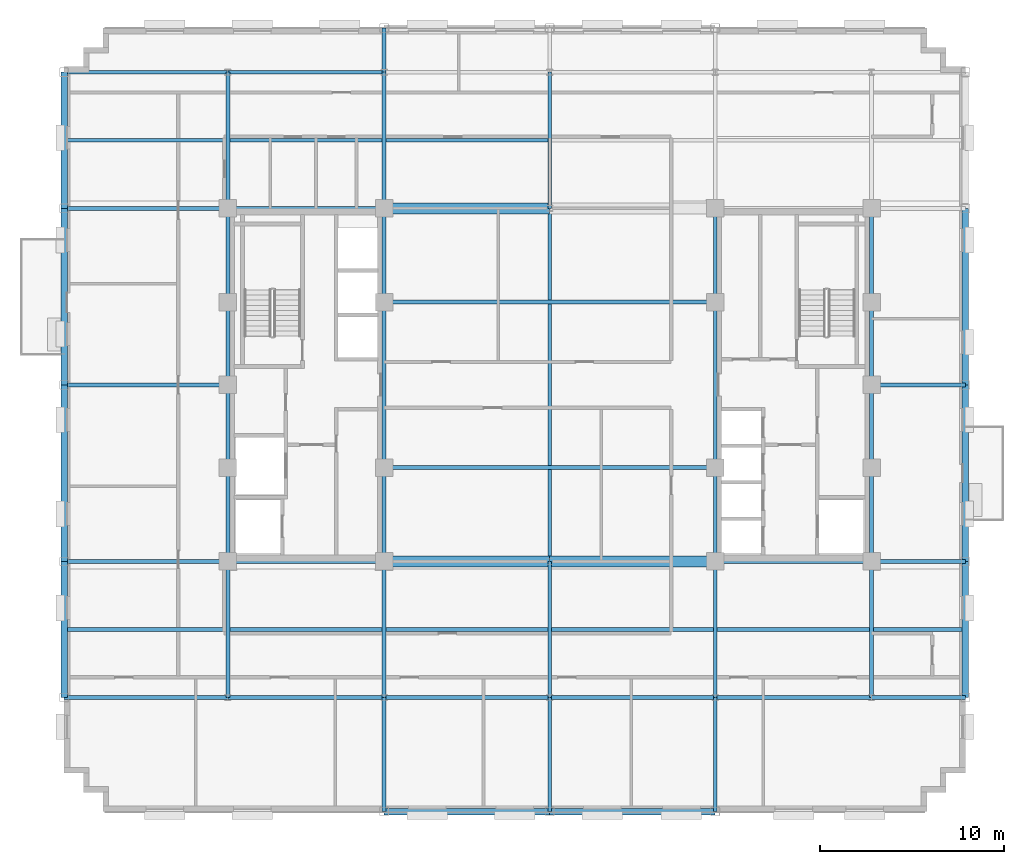
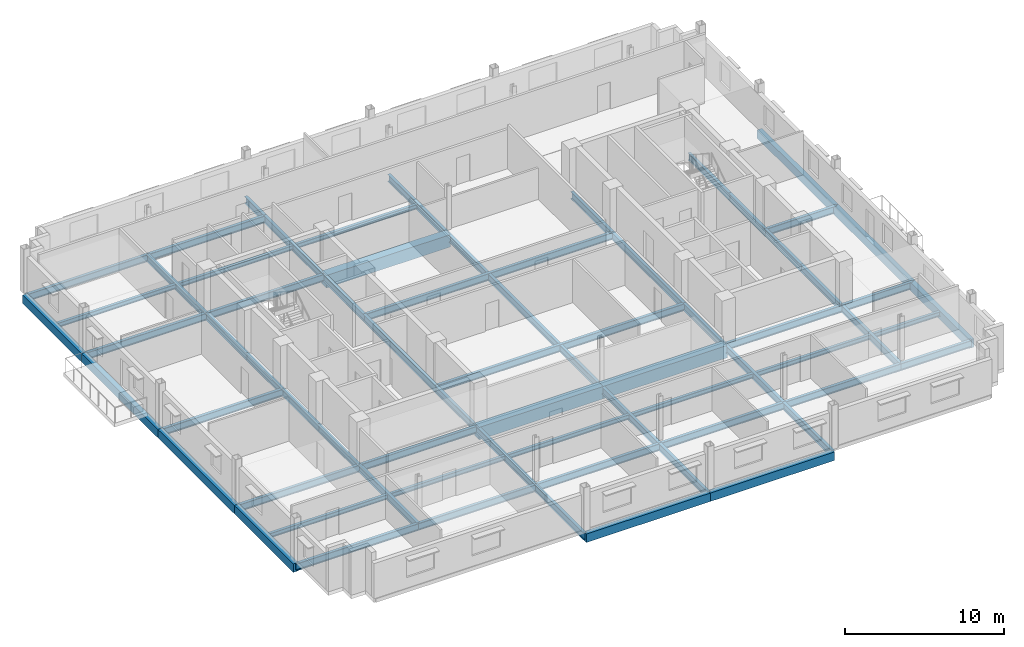
# One storey, part 5 of 15: 66 beams.
"""IFC4 building model written with IfcOpenShell, lengths in metres."""

from ifc_helpers import new_model, si_unit, direction, frame, origin, origin_2d, place, context, subcontext, project, spatial, rectangle, i_section, extrude, material, material_profile, profile_set, type_object, element, save


model = new_model("IFC4")

# Units and contexts
model_context = context("Model", 3, precision=1e-05, world=origin(), true_north=direction((0.0, 1.0)))
body_context = subcontext(model_context, "Body", "Model", "MODEL_VIEW")
ifc_project = project(units=[si_unit("LENGTHUNIT", "METRE"), si_unit("AREAUNIT", "SQUARE_METRE"), si_unit("VOLUMEUNIT", "CUBIC_METRE"), si_unit("PLANEANGLEUNIT", "RADIAN"), si_unit("MASSUNIT", "GRAM", prefix="KILO")], contexts=[model_context])

# Site, building, storey
site_placement = place(None, origin())
site = spatial("IfcSite", under=ifc_project, at=site_placement, CompositionType="ELEMENT")
building_placement = place(site_placement, origin())
building = spatial("IfcBuilding", under=site, at=building_placement, Name="Nuvemarco Arch Tower", CompositionType="ELEMENT")
storey_placement = place(building_placement, frame((0.0, 0.0, 198.199951171875)))
storey = spatial("IfcBuildingStorey", under=building, at=storey_placement, Name="L52", CompositionType="ELEMENT", Elevation=198.199951171875)

# Beams
ifc_material_1 = material(Name="Concrete C60/75", Category="concrete")
ifc_material_profile_1 = material_profile(ifc_material_1, rectangle(XDim=0.60009765625, YDim=0.949951171875, at=origin_2d()), Name="RC-BM-600x950")
ifc_profile_set_1 = profile_set([ifc_material_profile_1], Name="Concrete C60/75")
beam_type_1 = type_object("IfcBeamType", Name="BM-COUP-RC", PredefinedType="LINTEL", material=ifc_profile_set_1)
for number, where, z_axis, x_axis, name in (
    (1, (-9.0, -9.60009765625, -0.7548828125), (1.0, 0.0, 0.0), (0.0, 1.0, 0.0), "L52 structural beam BGEW_L52_0_-9.6_-9.0"),
    (2, (0.0, -9.60009765625, -0.7548828125), (1.0, 0.0, 0.0), (0.0, 1.0, 0.0), "L52 structural beam BGEW_L52_0_-9.6_+0.0"),
    (3, (-9.0, 9.60009765625, -0.7548828125), (1.0, 0.0, 0.0), (0.0, 1.0, 0.0), "L52 structural beam BGEW_L52_0_+9.6_-9.0"),
):
    element("IfcBeam", number, at=place(storey_placement, frame(where, z_axis=z_axis, x_axis=x_axis)), inside=storey, type_object=beam_type_1, Name=name, PredefinedType="LINTEL", context=body_context, shape_type="SweptSolid", body=[
        extrude(rectangle(XDim=0.60009765625, YDim=0.949951171875, at=origin_2d()), origin(), (0.0, 0.0, 1.0), 9.0),
    ])
ifc_material_2 = material(Name="Steel S355", Category="steel")
ifc_material_profile_2 = material_profile(ifc_material_2, i_section(OverallWidth=0.2109375, OverallDepth=0.5390625, WebThickness=0.01171875, FlangeThickness=0.018798828125, FilletRadius=0.01611328125, at=origin_2d()), Name="W530x109")
ifc_profile_set_2 = profile_set([ifc_material_profile_2], Name="Steel S355")
beam_type_2 = type_object("IfcBeamType", Name="BM-GIRD-530", PredefinedType="BEAM", material=ifc_profile_set_2)
beam_1_placement = place(storey_placement, frame((-17.5, -17.0, -0.549560546875), z_axis=(0.0, 1.0, 0.0), x_axis=(-1.0, 0.0, 0.0)))
element("IfcBeam", 4, at=beam_1_placement, inside=storey, type_object=beam_type_2, Name="L52 structural beam BGNS_L52_0_-17.5_-17.0", PredefinedType="BEAM", context=body_context, shape_type="SweptSolid", body=[
    extrude(i_section(OverallWidth=0.2109375, OverallDepth=0.5390625, WebThickness=0.01171875, FlangeThickness=0.018798828125, FilletRadius=0.01611328125, at=origin_2d()), origin(), (0.0, 0.0, 1.0), 7.39990234375),
])
beam_2_placement = place(storey_placement, frame((-17.5, -9.60009765625, -0.549560546875), z_axis=(0.0, 1.0, 0.0), x_axis=(-1.0, 0.0, 0.0)))
element("IfcBeam", 5, at=beam_2_placement, inside=storey, type_object=beam_type_2, Name="L52 structural beam BGNS_L52_0_-17.5_-9.6", PredefinedType="BEAM", context=body_context, shape_type="SweptSolid", body=[
    extrude(i_section(OverallWidth=0.2109375, OverallDepth=0.5390625, WebThickness=0.01171875, FlangeThickness=0.018798828125, FilletRadius=0.01611328125, at=origin_2d()), origin(), (0.0, 0.0, 1.0), 5.10009765625),
])
for number, where, z_axis, x_axis, name in (
    (6, (-17.5, -4.5, -0.549560546875), (0.0, 1.0, 0.0), (-1.0, 0.0, 0.0), "L52 structural beam BGNS_L52_0_-17.5_-4.5"),
    (7, (-17.5, 0.0, -0.549560546875), (0.0, 1.0, 0.0), (-1.0, 0.0, 0.0), "L52 structural beam BGNS_L52_0_-17.5_+0.0"),
):
    element("IfcBeam", number, at=place(storey_placement, frame(where, z_axis=z_axis, x_axis=x_axis)), inside=storey, type_object=beam_type_2, Name=name, PredefinedType="BEAM", context=body_context, shape_type="SweptSolid", body=[
        extrude(i_section(OverallWidth=0.2109375, OverallDepth=0.5390625, WebThickness=0.01171875, FlangeThickness=0.018798828125, FilletRadius=0.01611328125, at=origin_2d()), origin(), (0.0, 0.0, 1.0), 4.5),
    ])
beam_3_placement = place(storey_placement, frame((-17.5, 4.5, -0.549560546875), z_axis=(0.0, 1.0, 0.0), x_axis=(-1.0, 0.0, 0.0)))
element("IfcBeam", 8, at=beam_3_placement, inside=storey, type_object=beam_type_2, Name="L52 structural beam BGNS_L52_0_-17.5_+4.5", PredefinedType="BEAM", context=body_context, shape_type="SweptSolid", body=[
    extrude(i_section(OverallWidth=0.2109375, OverallDepth=0.5390625, WebThickness=0.01171875, FlangeThickness=0.018798828125, FilletRadius=0.01611328125, at=origin_2d()), origin(), (0.0, 0.0, 1.0), 5.10009765625),
])
beam_4_placement = place(storey_placement, frame((-17.5, 9.60009765625, -0.549560546875), z_axis=(0.0, 1.0, 0.0), x_axis=(-1.0, 0.0, 0.0)))
element("IfcBeam", 9, at=beam_4_placement, inside=storey, type_object=beam_type_2, Name="L52 structural beam BGNS_L52_0_-17.5_+9.6", PredefinedType="BEAM", context=body_context, shape_type="SweptSolid", body=[
    extrude(i_section(OverallWidth=0.2109375, OverallDepth=0.5390625, WebThickness=0.01171875, FlangeThickness=0.018798828125, FilletRadius=0.01611328125, at=origin_2d()), origin(), (0.0, 0.0, 1.0), 7.39990234375),
])
beam_5_placement = place(storey_placement, frame((-9.0, -23.199951171875, -0.549560546875), z_axis=(0.0, 1.0, 0.0), x_axis=(-1.0, 0.0, 0.0)))
element("IfcBeam", 10, at=beam_5_placement, inside=storey, type_object=beam_type_2, Name="L52 structural beam BGNS_L52_0_-9.0_-23.2", PredefinedType="BEAM", context=body_context, shape_type="SweptSolid", body=[
    extrude(i_section(OverallWidth=0.2109375, OverallDepth=0.5390625, WebThickness=0.01171875, FlangeThickness=0.018798828125, FilletRadius=0.01611328125, at=origin_2d()), origin(), (0.0, 0.0, 1.0), 6.199951171875),
])
beam_6_placement = place(storey_placement, frame((-9.0, -17.0, -0.549560546875), z_axis=(0.0, 1.0, 0.0), x_axis=(-1.0, 0.0, 0.0)))
element("IfcBeam", 11, at=beam_6_placement, inside=storey, type_object=beam_type_2, Name="L52 structural beam BGNS_L52_0_-9.0_-17.0", PredefinedType="BEAM", context=body_context, shape_type="SweptSolid", body=[
    extrude(i_section(OverallWidth=0.2109375, OverallDepth=0.5390625, WebThickness=0.01171875, FlangeThickness=0.018798828125, FilletRadius=0.01611328125, at=origin_2d()), origin(), (0.0, 0.0, 1.0), 7.39990234375),
])
beam_7_placement = place(storey_placement, frame((-9.0, -9.60009765625, -0.549560546875), z_axis=(0.0, 1.0, 0.0), x_axis=(-1.0, 0.0, 0.0)))
element("IfcBeam", 12, at=beam_7_placement, inside=storey, type_object=beam_type_2, Name="L52 structural beam BGNS_L52_0_-9.0_-9.6", PredefinedType="BEAM", context=body_context, shape_type="SweptSolid", body=[
    extrude(i_section(OverallWidth=0.2109375, OverallDepth=0.5390625, WebThickness=0.01171875, FlangeThickness=0.018798828125, FilletRadius=0.01611328125, at=origin_2d()), origin(), (0.0, 0.0, 1.0), 5.10009765625),
])
beam_8_placement = place(storey_placement, frame((-9.0, -4.5, -0.549560546875), z_axis=(0.0, 1.0, 0.0), x_axis=(-1.0, 0.0, 0.0)))
element("IfcBeam", 13, at=beam_8_placement, inside=storey, type_object=beam_type_2, Name="L52 structural beam BGNS_L52_0_-9.0_-4.5", PredefinedType="BEAM", context=body_context, shape_type="SweptSolid", body=[
    extrude(i_section(OverallWidth=0.2109375, OverallDepth=0.5390625, WebThickness=0.01171875, FlangeThickness=0.018798828125, FilletRadius=0.01611328125, at=origin_2d()), origin(), (0.0, 0.0, 1.0), 9.0),
])
beam_9_placement = place(storey_placement, frame((-9.0, 4.5, -0.549560546875), z_axis=(0.0, 1.0, 0.0), x_axis=(-1.0, 0.0, 0.0)))
element("IfcBeam", 14, at=beam_9_placement, inside=storey, type_object=beam_type_2, Name="L52 structural beam BGNS_L52_0_-9.0_+4.5", PredefinedType="BEAM", context=body_context, shape_type="SweptSolid", body=[
    extrude(i_section(OverallWidth=0.2109375, OverallDepth=0.5390625, WebThickness=0.01171875, FlangeThickness=0.018798828125, FilletRadius=0.01611328125, at=origin_2d()), origin(), (0.0, 0.0, 1.0), 5.10009765625),
])
beam_10_placement = place(storey_placement, frame((-9.0, 9.60009765625, -0.549560546875), z_axis=(0.0, 1.0, 0.0), x_axis=(-1.0, 0.0, 0.0)))
element("IfcBeam", 15, at=beam_10_placement, inside=storey, type_object=beam_type_2, Name="L52 structural beam BGNS_L52_0_-9.0_+9.6", PredefinedType="BEAM", context=body_context, shape_type="SweptSolid", body=[
    extrude(i_section(OverallWidth=0.2109375, OverallDepth=0.5390625, WebThickness=0.01171875, FlangeThickness=0.018798828125, FilletRadius=0.01611328125, at=origin_2d()), origin(), (0.0, 0.0, 1.0), 7.39990234375),
])
beam_11_placement = place(storey_placement, frame((-9.0, 17.0, -0.549560546875), z_axis=(0.0, 1.0, 0.0), x_axis=(-1.0, 0.0, 0.0)))
element("IfcBeam", 16, at=beam_11_placement, inside=storey, type_object=beam_type_2, Name="L52 structural beam BGNS_L52_0_-9.0_+17.0", PredefinedType="BEAM", context=body_context, shape_type="SweptSolid", body=[
    extrude(i_section(OverallWidth=0.2109375, OverallDepth=0.5390625, WebThickness=0.01171875, FlangeThickness=0.018798828125, FilletRadius=0.01611328125, at=origin_2d()), origin(), (0.0, 0.0, 1.0), 2.39990234375),
])
beam_12_placement = place(storey_placement, frame((0.0, -23.199951171875, -0.549560546875), z_axis=(0.0, 1.0, 0.0), x_axis=(-1.0, 0.0, 0.0)))
element("IfcBeam", 17, at=beam_12_placement, inside=storey, type_object=beam_type_2, Name="L52 structural beam BGNS_L52_0_+0.0_-23.2", PredefinedType="BEAM", context=body_context, shape_type="SweptSolid", body=[
    extrude(i_section(OverallWidth=0.2109375, OverallDepth=0.5390625, WebThickness=0.01171875, FlangeThickness=0.018798828125, FilletRadius=0.01611328125, at=origin_2d()), origin(), (0.0, 0.0, 1.0), 6.199951171875),
])
beam_13_placement = place(storey_placement, frame((0.0, -17.0, -0.549560546875), z_axis=(0.0, 1.0, 0.0), x_axis=(-1.0, 0.0, 0.0)))
element("IfcBeam", 18, at=beam_13_placement, inside=storey, type_object=beam_type_2, Name="L52 structural beam BGNS_L52_0_+0.0_-17.0", PredefinedType="BEAM", context=body_context, shape_type="SweptSolid", body=[
    extrude(i_section(OverallWidth=0.2109375, OverallDepth=0.5390625, WebThickness=0.01171875, FlangeThickness=0.018798828125, FilletRadius=0.01611328125, at=origin_2d()), origin(), (0.0, 0.0, 1.0), 7.39990234375),
])
beam_14_placement = place(storey_placement, frame((0.0, -9.60009765625, -0.549560546875), z_axis=(0.0, 1.0, 0.0), x_axis=(-1.0, 0.0, 0.0)))
element("IfcBeam", 19, at=beam_14_placement, inside=storey, type_object=beam_type_2, Name="L52 structural beam BGNS_L52_0_+0.0_-9.6", PredefinedType="BEAM", context=body_context, shape_type="SweptSolid", body=[
    extrude(i_section(OverallWidth=0.2109375, OverallDepth=0.5390625, WebThickness=0.01171875, FlangeThickness=0.018798828125, FilletRadius=0.01611328125, at=origin_2d()), origin(), (0.0, 0.0, 1.0), 19.2001953125),
])
beam_15_placement = place(storey_placement, frame((0.0, 9.60009765625, -0.549560546875), z_axis=(0.0, 1.0, 0.0), x_axis=(-1.0, 0.0, 0.0)))
element("IfcBeam", 20, at=beam_15_placement, inside=storey, type_object=beam_type_2, Name="L52 structural beam BGNS_L52_0_+0.0_+9.6", PredefinedType="BEAM", context=body_context, shape_type="SweptSolid", body=[
    extrude(i_section(OverallWidth=0.2109375, OverallDepth=0.5390625, WebThickness=0.01171875, FlangeThickness=0.018798828125, FilletRadius=0.01611328125, at=origin_2d()), origin(), (0.0, 0.0, 1.0), 7.39990234375),
])
beam_16_placement = place(storey_placement, frame((9.0, -23.199951171875, -0.549560546875), z_axis=(0.0, 1.0, 0.0), x_axis=(-1.0, 0.0, 0.0)))
element("IfcBeam", 21, at=beam_16_placement, inside=storey, type_object=beam_type_2, Name="L52 structural beam BGNS_L52_0_+9.0_-23.2", PredefinedType="BEAM", context=body_context, shape_type="SweptSolid", body=[
    extrude(i_section(OverallWidth=0.2109375, OverallDepth=0.5390625, WebThickness=0.01171875, FlangeThickness=0.018798828125, FilletRadius=0.01611328125, at=origin_2d()), origin(), (0.0, 0.0, 1.0), 6.199951171875),
])
beam_17_placement = place(storey_placement, frame((9.0, -17.0, -0.549560546875), z_axis=(0.0, 1.0, 0.0), x_axis=(-1.0, 0.0, 0.0)))
element("IfcBeam", 22, at=beam_17_placement, inside=storey, type_object=beam_type_2, Name="L52 structural beam BGNS_L52_0_+9.0_-17.0", PredefinedType="BEAM", context=body_context, shape_type="SweptSolid", body=[
    extrude(i_section(OverallWidth=0.2109375, OverallDepth=0.5390625, WebThickness=0.01171875, FlangeThickness=0.018798828125, FilletRadius=0.01611328125, at=origin_2d()), origin(), (0.0, 0.0, 1.0), 7.39990234375),
])
beam_18_placement = place(storey_placement, frame((9.0, -9.60009765625, -0.549560546875), z_axis=(0.0, 1.0, 0.0), x_axis=(-1.0, 0.0, 0.0)))
element("IfcBeam", 23, at=beam_18_placement, inside=storey, type_object=beam_type_2, Name="L52 structural beam BGNS_L52_0_+9.0_-9.6", PredefinedType="BEAM", context=body_context, shape_type="SweptSolid", body=[
    extrude(i_section(OverallWidth=0.2109375, OverallDepth=0.5390625, WebThickness=0.01171875, FlangeThickness=0.018798828125, FilletRadius=0.01611328125, at=origin_2d()), origin(), (0.0, 0.0, 1.0), 5.10009765625),
])
beam_19_placement = place(storey_placement, frame((9.0, -4.5, -0.549560546875), z_axis=(0.0, 1.0, 0.0), x_axis=(-1.0, 0.0, 0.0)))
element("IfcBeam", 24, at=beam_19_placement, inside=storey, type_object=beam_type_2, Name="L52 structural beam BGNS_L52_0_+9.0_-4.5", PredefinedType="BEAM", context=body_context, shape_type="SweptSolid", body=[
    extrude(i_section(OverallWidth=0.2109375, OverallDepth=0.5390625, WebThickness=0.01171875, FlangeThickness=0.018798828125, FilletRadius=0.01611328125, at=origin_2d()), origin(), (0.0, 0.0, 1.0), 9.0),
])
beam_20_placement = place(storey_placement, frame((9.0, 4.5, -0.549560546875), z_axis=(0.0, 1.0, 0.0), x_axis=(-1.0, 0.0, 0.0)))
element("IfcBeam", 25, at=beam_20_placement, inside=storey, type_object=beam_type_2, Name="L52 structural beam BGNS_L52_0_+9.0_+4.5", PredefinedType="BEAM", context=body_context, shape_type="SweptSolid", body=[
    extrude(i_section(OverallWidth=0.2109375, OverallDepth=0.5390625, WebThickness=0.01171875, FlangeThickness=0.018798828125, FilletRadius=0.01611328125, at=origin_2d()), origin(), (0.0, 0.0, 1.0), 5.10009765625),
])
beam_21_placement = place(storey_placement, frame((17.5, -17.0, -0.549560546875), z_axis=(0.0, 1.0, 0.0), x_axis=(-1.0, 0.0, 0.0)))
element("IfcBeam", 26, at=beam_21_placement, inside=storey, type_object=beam_type_2, Name="L52 structural beam BGNS_L52_0_+17.5_-17.0", PredefinedType="BEAM", context=body_context, shape_type="SweptSolid", body=[
    extrude(i_section(OverallWidth=0.2109375, OverallDepth=0.5390625, WebThickness=0.01171875, FlangeThickness=0.018798828125, FilletRadius=0.01611328125, at=origin_2d()), origin(), (0.0, 0.0, 1.0), 7.39990234375),
])
beam_22_placement = place(storey_placement, frame((17.5, -9.60009765625, -0.549560546875), z_axis=(0.0, 1.0, 0.0), x_axis=(-1.0, 0.0, 0.0)))
element("IfcBeam", 27, at=beam_22_placement, inside=storey, type_object=beam_type_2, Name="L52 structural beam BGNS_L52_0_+17.5_-9.6", PredefinedType="BEAM", context=body_context, shape_type="SweptSolid", body=[
    extrude(i_section(OverallWidth=0.2109375, OverallDepth=0.5390625, WebThickness=0.01171875, FlangeThickness=0.018798828125, FilletRadius=0.01611328125, at=origin_2d()), origin(), (0.0, 0.0, 1.0), 5.10009765625),
])
for number, where, z_axis, x_axis, name in (
    (28, (17.5, -4.5, -0.549560546875), (0.0, 1.0, 0.0), (-1.0, 0.0, 0.0), "L52 structural beam BGNS_L52_0_+17.5_-4.5"),
    (29, (17.5, 0.0, -0.549560546875), (0.0, 1.0, 0.0), (-1.0, 0.0, 0.0), "L52 structural beam BGNS_L52_0_+17.5_+0.0"),
):
    element("IfcBeam", number, at=place(storey_placement, frame(where, z_axis=z_axis, x_axis=x_axis)), inside=storey, type_object=beam_type_2, Name=name, PredefinedType="BEAM", context=body_context, shape_type="SweptSolid", body=[
        extrude(i_section(OverallWidth=0.2109375, OverallDepth=0.5390625, WebThickness=0.01171875, FlangeThickness=0.018798828125, FilletRadius=0.01611328125, at=origin_2d()), origin(), (0.0, 0.0, 1.0), 4.5),
    ])
beam_23_placement = place(storey_placement, frame((17.5, 4.5, -0.549560546875), z_axis=(0.0, 1.0, 0.0), x_axis=(-1.0, 0.0, 0.0)))
element("IfcBeam", 30, at=beam_23_placement, inside=storey, type_object=beam_type_2, Name="L52 structural beam BGNS_L52_0_+17.5_+4.5", PredefinedType="BEAM", context=body_context, shape_type="SweptSolid", body=[
    extrude(i_section(OverallWidth=0.2109375, OverallDepth=0.5390625, WebThickness=0.01171875, FlangeThickness=0.018798828125, FilletRadius=0.01611328125, at=origin_2d()), origin(), (0.0, 0.0, 1.0), 5.10009765625),
])
beam_24_placement = place(storey_placement, frame((-26.39990234375, -17.0, -0.549560546875), z_axis=(1.0, 0.0, 0.0), x_axis=(0.0, 1.0, 0.0)))
element("IfcBeam", 31, at=beam_24_placement, inside=storey, type_object=beam_type_2, Name="L52 structural beam BGEW_L52_0_-17.0_-26.4", PredefinedType="BEAM", context=body_context, shape_type="SweptSolid", body=[
    extrude(i_section(OverallWidth=0.2109375, OverallDepth=0.5390625, WebThickness=0.01171875, FlangeThickness=0.018798828125, FilletRadius=0.01611328125, at=origin_2d()), origin(), (0.0, 0.0, 1.0), 8.89990234375),
])
beam_25_placement = place(storey_placement, frame((-17.5, -17.0, -0.549560546875), z_axis=(1.0, 0.0, 0.0), x_axis=(0.0, 1.0, 0.0)))
element("IfcBeam", 32, at=beam_25_placement, inside=storey, type_object=beam_type_2, Name="L52 structural beam BGEW_L52_0_-17.0_-17.5", PredefinedType="BEAM", context=body_context, shape_type="SweptSolid", body=[
    extrude(i_section(OverallWidth=0.2109375, OverallDepth=0.5390625, WebThickness=0.01171875, FlangeThickness=0.018798828125, FilletRadius=0.01611328125, at=origin_2d()), origin(), (0.0, 0.0, 1.0), 8.5),
])
for number, where, z_axis, x_axis, name in (
    (33, (-9.0, -17.0, -0.549560546875), (1.0, 0.0, 0.0), (0.0, 1.0, 0.0), "L52 structural beam BGEW_L52_0_-17.0_-9.0"),
    (34, (0.0, -17.0, -0.549560546875), (1.0, 0.0, 0.0), (0.0, 1.0, 0.0), "L52 structural beam BGEW_L52_0_-17.0_+0.0"),
):
    element("IfcBeam", number, at=place(storey_placement, frame(where, z_axis=z_axis, x_axis=x_axis)), inside=storey, type_object=beam_type_2, Name=name, PredefinedType="BEAM", context=body_context, shape_type="SweptSolid", body=[
        extrude(i_section(OverallWidth=0.2109375, OverallDepth=0.5390625, WebThickness=0.01171875, FlangeThickness=0.018798828125, FilletRadius=0.01611328125, at=origin_2d()), origin(), (0.0, 0.0, 1.0), 9.0),
    ])
beam_26_placement = place(storey_placement, frame((9.0, -17.0, -0.549560546875), z_axis=(1.0, 0.0, 0.0), x_axis=(0.0, 1.0, 0.0)))
element("IfcBeam", 35, at=beam_26_placement, inside=storey, type_object=beam_type_2, Name="L52 structural beam BGEW_L52_0_-17.0_+9.0", PredefinedType="BEAM", context=body_context, shape_type="SweptSolid", body=[
    extrude(i_section(OverallWidth=0.2109375, OverallDepth=0.5390625, WebThickness=0.01171875, FlangeThickness=0.018798828125, FilletRadius=0.01611328125, at=origin_2d()), origin(), (0.0, 0.0, 1.0), 8.5),
])
beam_27_placement = place(storey_placement, frame((17.5, -17.0, -0.549560546875), z_axis=(1.0, 0.0, 0.0), x_axis=(0.0, 1.0, 0.0)))
element("IfcBeam", 36, at=beam_27_placement, inside=storey, type_object=beam_type_2, Name="L52 structural beam BGEW_L52_0_-17.0_+17.5", PredefinedType="BEAM", context=body_context, shape_type="SweptSolid", body=[
    extrude(i_section(OverallWidth=0.2109375, OverallDepth=0.5390625, WebThickness=0.01171875, FlangeThickness=0.018798828125, FilletRadius=0.01611328125, at=origin_2d()), origin(), (0.0, 0.0, 1.0), 5.10009765625),
])
beam_28_placement = place(storey_placement, frame((-26.39990234375, -9.60009765625, -0.549560546875), z_axis=(1.0, 0.0, 0.0), x_axis=(0.0, 1.0, 0.0)))
element("IfcBeam", 37, at=beam_28_placement, inside=storey, type_object=beam_type_2, Name="L52 structural beam BGEW_L52_0_-9.6_-26.4", PredefinedType="BEAM", context=body_context, shape_type="SweptSolid", body=[
    extrude(i_section(OverallWidth=0.2109375, OverallDepth=0.5390625, WebThickness=0.01171875, FlangeThickness=0.018798828125, FilletRadius=0.01611328125, at=origin_2d()), origin(), (0.0, 0.0, 1.0), 8.89990234375),
])
for number, where, z_axis, x_axis, name in (
    (38, (-17.5, -9.60009765625, -0.549560546875), (1.0, 0.0, 0.0), (0.0, 1.0, 0.0), "L52 structural beam BGEW_L52_0_-9.6_-17.5"),
    (39, (9.0, -9.60009765625, -0.549560546875), (1.0, 0.0, 0.0), (0.0, 1.0, 0.0), "L52 structural beam BGEW_L52_0_-9.6_+9.0"),
):
    element("IfcBeam", number, at=place(storey_placement, frame(where, z_axis=z_axis, x_axis=x_axis)), inside=storey, type_object=beam_type_2, Name=name, PredefinedType="BEAM", context=body_context, shape_type="SweptSolid", body=[
        extrude(i_section(OverallWidth=0.2109375, OverallDepth=0.5390625, WebThickness=0.01171875, FlangeThickness=0.018798828125, FilletRadius=0.01611328125, at=origin_2d()), origin(), (0.0, 0.0, 1.0), 8.5),
    ])
beam_29_placement = place(storey_placement, frame((17.5, -9.60009765625, -0.549560546875), z_axis=(1.0, 0.0, 0.0), x_axis=(0.0, 1.0, 0.0)))
element("IfcBeam", 40, at=beam_29_placement, inside=storey, type_object=beam_type_2, Name="L52 structural beam BGEW_L52_0_-9.6_+17.5", PredefinedType="BEAM", context=body_context, shape_type="SweptSolid", body=[
    extrude(i_section(OverallWidth=0.2109375, OverallDepth=0.5390625, WebThickness=0.01171875, FlangeThickness=0.018798828125, FilletRadius=0.01611328125, at=origin_2d()), origin(), (0.0, 0.0, 1.0), 5.10009765625),
])
beam_30_placement = place(storey_placement, frame((-9.0, -4.5, -0.549560546875), z_axis=(1.0, 0.0, 0.0), x_axis=(0.0, 1.0, 0.0)))
element("IfcBeam", 41, at=beam_30_placement, inside=storey, type_object=beam_type_2, Name="L52 structural beam BGEW_L52_0_-4.5_-9.0", PredefinedType="BEAM", context=body_context, shape_type="SweptSolid", body=[
    extrude(i_section(OverallWidth=0.2109375, OverallDepth=0.5390625, WebThickness=0.01171875, FlangeThickness=0.018798828125, FilletRadius=0.01611328125, at=origin_2d()), origin(), (0.0, 0.0, 1.0), 18.0),
])
beam_31_placement = place(storey_placement, frame((-26.39990234375, 0.0, -0.549560546875), z_axis=(1.0, 0.0, 0.0), x_axis=(0.0, 1.0, 0.0)))
element("IfcBeam", 42, at=beam_31_placement, inside=storey, type_object=beam_type_2, Name="L52 structural beam BGEW_L52_0_+0.0_-26.4", PredefinedType="BEAM", context=body_context, shape_type="SweptSolid", body=[
    extrude(i_section(OverallWidth=0.2109375, OverallDepth=0.5390625, WebThickness=0.01171875, FlangeThickness=0.018798828125, FilletRadius=0.01611328125, at=origin_2d()), origin(), (0.0, 0.0, 1.0), 8.89990234375),
])
beam_32_placement = place(storey_placement, frame((17.5, 0.0, -0.549560546875), z_axis=(1.0, 0.0, 0.0), x_axis=(0.0, 1.0, 0.0)))
element("IfcBeam", 43, at=beam_32_placement, inside=storey, type_object=beam_type_2, Name="L52 structural beam BGEW_L52_0_+0.0_+17.5", PredefinedType="BEAM", context=body_context, shape_type="SweptSolid", body=[
    extrude(i_section(OverallWidth=0.2109375, OverallDepth=0.5390625, WebThickness=0.01171875, FlangeThickness=0.018798828125, FilletRadius=0.01611328125, at=origin_2d()), origin(), (0.0, 0.0, 1.0), 5.10009765625),
])
beam_33_placement = place(storey_placement, frame((-9.0, 4.5, -0.549560546875), z_axis=(1.0, 0.0, 0.0), x_axis=(0.0, 1.0, 0.0)))
element("IfcBeam", 44, at=beam_33_placement, inside=storey, type_object=beam_type_2, Name="L52 structural beam BGEW_L52_0_+4.5_-9.0", PredefinedType="BEAM", context=body_context, shape_type="SweptSolid", body=[
    extrude(i_section(OverallWidth=0.2109375, OverallDepth=0.5390625, WebThickness=0.01171875, FlangeThickness=0.018798828125, FilletRadius=0.01611328125, at=origin_2d()), origin(), (0.0, 0.0, 1.0), 18.0),
])
beam_34_placement = place(storey_placement, frame((-26.39990234375, 9.60009765625, -0.549560546875), z_axis=(1.0, 0.0, 0.0), x_axis=(0.0, 1.0, 0.0)))
element("IfcBeam", 45, at=beam_34_placement, inside=storey, type_object=beam_type_2, Name="L52 structural beam BGEW_L52_0_+9.6_-26.4", PredefinedType="BEAM", context=body_context, shape_type="SweptSolid", body=[
    extrude(i_section(OverallWidth=0.2109375, OverallDepth=0.5390625, WebThickness=0.01171875, FlangeThickness=0.018798828125, FilletRadius=0.01611328125, at=origin_2d()), origin(), (0.0, 0.0, 1.0), 8.89990234375),
])
beam_35_placement = place(storey_placement, frame((-17.5, 9.60009765625, -0.549560546875), z_axis=(1.0, 0.0, 0.0), x_axis=(0.0, 1.0, 0.0)))
element("IfcBeam", 46, at=beam_35_placement, inside=storey, type_object=beam_type_2, Name="L52 structural beam BGEW_L52_0_+9.6_-17.5", PredefinedType="BEAM", context=body_context, shape_type="SweptSolid", body=[
    extrude(i_section(OverallWidth=0.2109375, OverallDepth=0.5390625, WebThickness=0.01171875, FlangeThickness=0.018798828125, FilletRadius=0.01611328125, at=origin_2d()), origin(), (0.0, 0.0, 1.0), 8.5),
])
beam_36_placement = place(storey_placement, frame((-26.39990234375, 17.0, -0.549560546875), z_axis=(1.0, 0.0, 0.0), x_axis=(0.0, 1.0, 0.0)))
element("IfcBeam", 47, at=beam_36_placement, inside=storey, type_object=beam_type_2, Name="L52 structural beam BGEW_L52_0_+17.0_-26.4", PredefinedType="BEAM", context=body_context, shape_type="SweptSolid", body=[
    extrude(i_section(OverallWidth=0.2109375, OverallDepth=0.5390625, WebThickness=0.01171875, FlangeThickness=0.018798828125, FilletRadius=0.01611328125, at=origin_2d()), origin(), (0.0, 0.0, 1.0), 8.89990234375),
])
beam_37_placement = place(storey_placement, frame((-17.5, 17.0, -0.549560546875), z_axis=(1.0, 0.0, 0.0), x_axis=(0.0, 1.0, 0.0)))
element("IfcBeam", 48, at=beam_37_placement, inside=storey, type_object=beam_type_2, Name="L52 structural beam BGEW_L52_0_+17.0_-17.5", PredefinedType="BEAM", context=body_context, shape_type="SweptSolid", body=[
    extrude(i_section(OverallWidth=0.2109375, OverallDepth=0.5390625, WebThickness=0.01171875, FlangeThickness=0.018798828125, FilletRadius=0.01611328125, at=origin_2d()), origin(), (0.0, 0.0, 1.0), 8.5),
])
ifc_material_profile_3 = material_profile(ifc_material_2, i_section(OverallWidth=0.202880859375, OverallDepth=0.346923828125, WebThickness=0.0078125, FlangeThickness=0.013427734375, FilletRadius=0.014892578125, at=origin_2d()), Name="W360x64")
ifc_profile_set_3 = profile_set([ifc_material_profile_3], Name="Steel S355")
beam_type_3 = type_object("IfcBeamType", Name="BM-JOIST-360", PredefinedType="JOIST", material=ifc_profile_set_3)
beam_38_placement = place(storey_placement, frame((-26.22509765625, -13.300048828125, -0.453369140625), z_axis=(1.0, 0.0, 0.0), x_axis=(0.0, 1.0, 0.0)))
element("IfcBeam", 49, at=beam_38_placement, inside=storey, type_object=beam_type_3, Name="L52 structural beam BJ_L52_0_-13.3_-26.4", PredefinedType="JOIST", context=body_context, shape_type="SweptSolid", body=[
    extrude(i_section(OverallWidth=0.202880859375, OverallDepth=0.346923828125, WebThickness=0.0078125, FlangeThickness=0.013427734375, FilletRadius=0.014892578125, at=origin_2d()), origin(), (0.0, 0.0, 1.0), 8.61962890625),
])
beam_39_placement = place(storey_placement, frame((-17.39453125, -13.300048828125, -0.453369140625), z_axis=(1.0, 0.0, 0.0), x_axis=(0.0, 1.0, 0.0)))
element("IfcBeam", 50, at=beam_39_placement, inside=storey, type_object=beam_type_3, Name="L52 structural beam BJ_L52_0_-13.3_-17.5", PredefinedType="JOIST", context=body_context, shape_type="SweptSolid", body=[
    extrude(i_section(OverallWidth=0.202880859375, OverallDepth=0.346923828125, WebThickness=0.0078125, FlangeThickness=0.013427734375, FilletRadius=0.014892578125, at=origin_2d()), origin(), (0.0, 0.0, 1.0), 8.2890625),
])
for number, where, z_axis, x_axis, name in (
    (51, (-8.89453125, -13.300048828125, -0.453369140625), (1.0, 0.0, 0.0), (0.0, 1.0, 0.0), "L52 structural beam BJ_L52_0_-13.3_-9.0"),
    (52, (0.10546875, -13.300048828125, -0.453369140625), (1.0, 0.0, 0.0), (0.0, 1.0, 0.0), "L52 structural beam BJ_L52_0_-13.3_+0.0"),
):
    element("IfcBeam", number, at=place(storey_placement, frame(where, z_axis=z_axis, x_axis=x_axis)), inside=storey, type_object=beam_type_3, Name=name, PredefinedType="JOIST", context=body_context, shape_type="SweptSolid", body=[
        extrude(i_section(OverallWidth=0.202880859375, OverallDepth=0.346923828125, WebThickness=0.0078125, FlangeThickness=0.013427734375, FilletRadius=0.014892578125, at=origin_2d()), origin(), (0.0, 0.0, 1.0), 8.7890625),
    ])
beam_40_placement = place(storey_placement, frame((9.10546875, -13.300048828125, -0.453369140625), z_axis=(1.0, 0.0, 0.0), x_axis=(0.0, 1.0, 0.0)))
element("IfcBeam", 53, at=beam_40_placement, inside=storey, type_object=beam_type_3, Name="L52 structural beam BJ_L52_0_-13.3_+9.0", PredefinedType="JOIST", context=body_context, shape_type="SweptSolid", body=[
    extrude(i_section(OverallWidth=0.202880859375, OverallDepth=0.346923828125, WebThickness=0.0078125, FlangeThickness=0.013427734375, FilletRadius=0.014892578125, at=origin_2d()), origin(), (0.0, 0.0, 1.0), 8.2890625),
])
beam_41_placement = place(storey_placement, frame((17.60546875, -13.300048828125, -0.453369140625), z_axis=(1.0, 0.0, 0.0), x_axis=(0.0, 1.0, 0.0)))
element("IfcBeam", 54, at=beam_41_placement, inside=storey, type_object=beam_type_3, Name="L52 structural beam BJ_L52_0_-13.3_+17.5", PredefinedType="JOIST", context=body_context, shape_type="SweptSolid", body=[
    extrude(i_section(OverallWidth=0.202880859375, OverallDepth=0.346923828125, WebThickness=0.0078125, FlangeThickness=0.013427734375, FilletRadius=0.014892578125, at=origin_2d()), origin(), (0.0, 0.0, 1.0), 4.819580078125),
])
beam_42_placement = place(storey_placement, frame((-26.22509765625, 13.300048828125, -0.453369140625), z_axis=(1.0, 0.0, 0.0), x_axis=(0.0, 1.0, 0.0)))
element("IfcBeam", 55, at=beam_42_placement, inside=storey, type_object=beam_type_3, Name="L52 structural beam BJ_L52_0_+13.3_-26.4", PredefinedType="JOIST", context=body_context, shape_type="SweptSolid", body=[
    extrude(i_section(OverallWidth=0.202880859375, OverallDepth=0.346923828125, WebThickness=0.0078125, FlangeThickness=0.013427734375, FilletRadius=0.014892578125, at=origin_2d()), origin(), (0.0, 0.0, 1.0), 8.61962890625),
])
beam_43_placement = place(storey_placement, frame((-17.39453125, 13.300048828125, -0.453369140625), z_axis=(1.0, 0.0, 0.0), x_axis=(0.0, 1.0, 0.0)))
element("IfcBeam", 56, at=beam_43_placement, inside=storey, type_object=beam_type_3, Name="L52 structural beam BJ_L52_0_+13.3_-17.5", PredefinedType="JOIST", context=body_context, shape_type="SweptSolid", body=[
    extrude(i_section(OverallWidth=0.202880859375, OverallDepth=0.346923828125, WebThickness=0.0078125, FlangeThickness=0.013427734375, FilletRadius=0.014892578125, at=origin_2d()), origin(), (0.0, 0.0, 1.0), 8.2890625),
])
beam_44_placement = place(storey_placement, frame((-8.89453125, 13.300048828125, -0.453369140625), z_axis=(1.0, 0.0, 0.0), x_axis=(0.0, 1.0, 0.0)))
element("IfcBeam", 57, at=beam_44_placement, inside=storey, type_object=beam_type_3, Name="L52 structural beam BJ_L52_0_+13.3_-9.0", PredefinedType="JOIST", context=body_context, shape_type="SweptSolid", body=[
    extrude(i_section(OverallWidth=0.202880859375, OverallDepth=0.346923828125, WebThickness=0.0078125, FlangeThickness=0.013427734375, FilletRadius=0.014892578125, at=origin_2d()), origin(), (0.0, 0.0, 1.0), 8.7890625),
])
ifc_material_3 = material(Name="Precast concrete C45/55", Category="concrete")
ifc_material_profile_4 = material_profile(ifc_material_3, rectangle(XDim=0.35009765625, YDim=0.64990234375, at=origin_2d()), Name="PC-SP-350x650")
ifc_profile_set_4 = profile_set([ifc_material_profile_4], Name="Precast concrete C45/55")
beam_type_4 = type_object("IfcBeamType", Name="BM-SPAN-RC", PredefinedType="SPANDREL", material=ifc_profile_set_4)
beam_45_placement = place(storey_placement, frame((-26.39990234375, -17.0, -0.60498046875), z_axis=(0.0, 1.0, 0.0), x_axis=(-1.0, 0.0, 0.0)))
element("IfcBeam", 58, at=beam_45_placement, inside=storey, type_object=beam_type_4, Name="L52 structural beam BGNS_L52_0_-26.4_-17.0", PredefinedType="SPANDREL", context=body_context, shape_type="SweptSolid", body=[
    extrude(rectangle(XDim=0.35009765625, YDim=0.64990234375, at=origin_2d()), origin(), (0.0, 0.0, 1.0), 7.39990234375),
])
for number, where, z_axis, x_axis, name in (
    (59, (-26.39990234375, -9.60009765625, -0.60498046875), (0.0, 1.0, 0.0), (-1.0, 0.0, 0.0), "L52 structural beam BGNS_L52_0_-26.4_-9.6"),
    (60, (-26.39990234375, 0.0, -0.60498046875), (0.0, 1.0, 0.0), (-1.0, 0.0, 0.0), "L52 structural beam BGNS_L52_0_-26.4_+0.0"),
):
    element("IfcBeam", number, at=place(storey_placement, frame(where, z_axis=z_axis, x_axis=x_axis)), inside=storey, type_object=beam_type_4, Name=name, PredefinedType="SPANDREL", context=body_context, shape_type="SweptSolid", body=[
        extrude(rectangle(XDim=0.35009765625, YDim=0.64990234375, at=origin_2d()), origin(), (0.0, 0.0, 1.0), 9.60009765625),
    ])
for number, where, z_axis, x_axis, name in (
    (61, (-26.39990234375, 9.60009765625, -0.60498046875), (0.0, 1.0, 0.0), (-1.0, 0.0, 0.0), "L52 structural beam BGNS_L52_0_-26.4_+9.6"),
    (62, (22.60009765625, -17.0, -0.60498046875), (0.0, 1.0, 0.0), (-1.0, 0.0, 0.0), "L52 structural beam BGNS_L52_0_+22.6_-17.0"),
):
    element("IfcBeam", number, at=place(storey_placement, frame(where, z_axis=z_axis, x_axis=x_axis)), inside=storey, type_object=beam_type_4, Name=name, PredefinedType="SPANDREL", context=body_context, shape_type="SweptSolid", body=[
        extrude(rectangle(XDim=0.35009765625, YDim=0.64990234375, at=origin_2d()), origin(), (0.0, 0.0, 1.0), 7.39990234375),
    ])
for number, where, z_axis, x_axis, name in (
    (63, (22.60009765625, -9.60009765625, -0.60498046875), (0.0, 1.0, 0.0), (-1.0, 0.0, 0.0), "L52 structural beam BGNS_L52_0_+22.6_-9.6"),
    (64, (22.60009765625, 0.0, -0.60498046875), (0.0, 1.0, 0.0), (-1.0, 0.0, 0.0), "L52 structural beam BGNS_L52_0_+22.6_+0.0"),
):
    element("IfcBeam", number, at=place(storey_placement, frame(where, z_axis=z_axis, x_axis=x_axis)), inside=storey, type_object=beam_type_4, Name=name, PredefinedType="SPANDREL", context=body_context, shape_type="SweptSolid", body=[
        extrude(rectangle(XDim=0.35009765625, YDim=0.64990234375, at=origin_2d()), origin(), (0.0, 0.0, 1.0), 9.60009765625),
    ])
for number, where, z_axis, x_axis, name in (
    (65, (-9.0, -23.199951171875, -0.60498046875), (1.0, 0.0, 0.0), (0.0, 1.0, 0.0), "L52 structural beam BGEW_L52_0_-23.2_-9.0"),
    (66, (0.0, -23.199951171875, -0.60498046875), (1.0, 0.0, 0.0), (0.0, 1.0, 0.0), "L52 structural beam BGEW_L52_0_-23.2_+0.0"),
):
    element("IfcBeam", number, at=place(storey_placement, frame(where, z_axis=z_axis, x_axis=x_axis)), inside=storey, type_object=beam_type_4, Name=name, PredefinedType="SPANDREL", context=body_context, shape_type="SweptSolid", body=[
        extrude(rectangle(XDim=0.35009765625, YDim=0.64990234375, at=origin_2d()), origin(), (0.0, 0.0, 1.0), 9.0),
    ])

save(model, "model.ifc")
